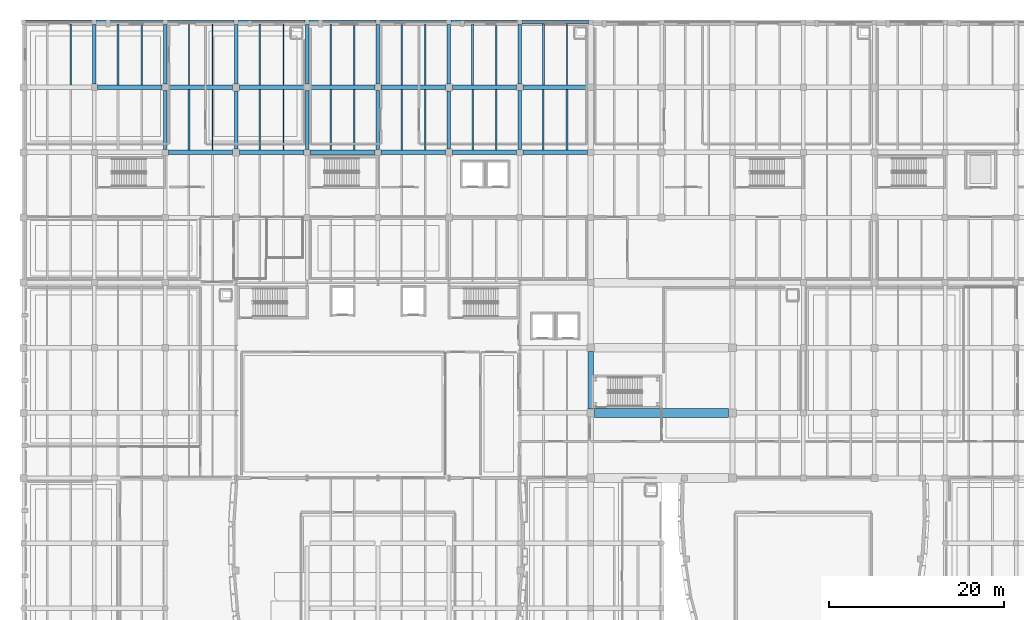
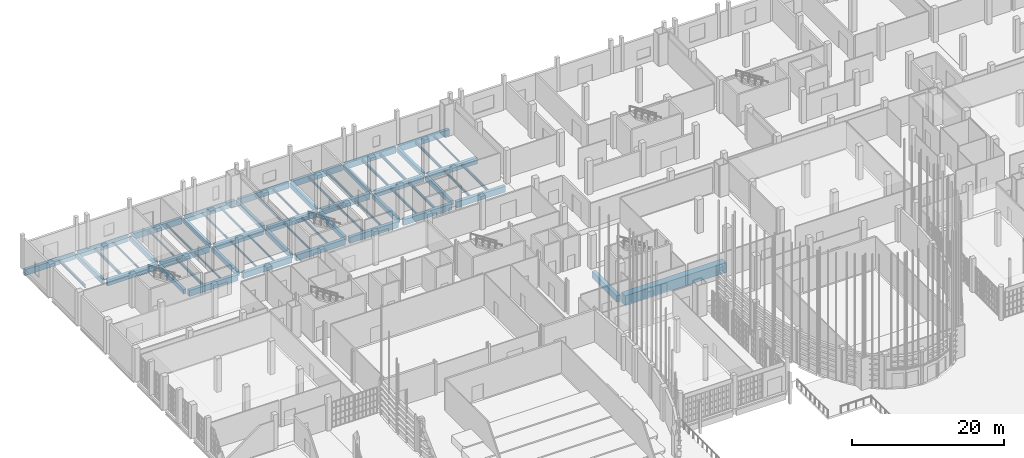
# One storey, part 248 of 372: 63 beams.
"""IFC4 building model written with IfcOpenShell, lengths in metres."""

import ifcopenshell
import ifcopenshell.guid

model = None  # the IFC model being written
_history = None  # IfcOwnerHistory: only IFC2X3 demands one
_inside = {}  # id of a spatial element -> (the spatial element, [elements in it])
_under = {}  # id of a project, library or spatial element -> (it, [spatial elements below it])
_declared = {}  # id of a project -> (the project, [libraries it declares])
_typed = {}  # id of a type object -> (the type object, [elements of that type])
_made_of = {}  # id of a material, layer set ... -> (it, [elements and type objects made of it])


def new_model(schema):
    """Start an empty IFC model of exactly this schema.

    Asked for "IFC4X3", IfcOpenShell would pick the latest addendum, in which some entities
    have other attributes; the version numbers below select the first issue.
    IFC2X3 requires an IfcOwnerHistory on every rooted entity: one is made here for all.
    """
    global model, _history
    if schema == "IFC4X3":
        model = ifcopenshell.file(schema_version=(4, 3, 0, 0))
    else:
        model = ifcopenshell.file(schema=schema)
    _inside.clear()
    _under.clear()
    _declared.clear()
    _typed.clear()
    _made_of.clear()
    _history = None
    if model.schema == "IFC2X3":
        org = make("IfcOrganization", Name="unknown")
        user = make(
            "IfcPersonAndOrganization",
            ThePerson=make("IfcPerson", FamilyName="unknown"),
            TheOrganization=org,
        )
        app = make(
            "IfcApplication",
            ApplicationDeveloper=org,
            Version="unknown",
            ApplicationFullName="unknown",
            ApplicationIdentifier="unknown",
        )
        _history = make(
            "IfcOwnerHistory",
            OwningUser=user,
            OwningApplication=app,
            ChangeAction="ADDED",
            CreationDate=0,
        )
    return model


def make(cls, **values):
    """One entity of the class cls with the attributes given. An attribute that is None is left unset."""
    return model.create_entity(
        cls, **{name: value for name, value in values.items() if value is not None}
    )


def rooted(cls, **values):
    """An entity with a GlobalId (a new one), such as an element, a storey or a relation."""
    return make(cls, GlobalId=ifcopenshell.guid.new(), OwnerHistory=_history, **values)


def si_unit(unit_type, name, prefix=None):
    """IfcSIUnit, for example si_unit("LENGTHUNIT", "METRE", prefix="MILLI")."""
    return make("IfcSIUnit", UnitType=unit_type, Prefix=prefix, Name=name)


def assignment(units):
    """IfcUnitAssignment: the units of a project."""
    return None if units is None else make("IfcUnitAssignment", Units=units)


def point(xyz):
    """IfcCartesianPoint."""
    return None if xyz is None else make("IfcCartesianPoint", Coordinates=xyz)


def direction(xyz):
    """IfcDirection."""
    return None if xyz is None else make("IfcDirection", DirectionRatios=xyz)


def frame(location, z_axis=None, x_axis=None):
    """IfcAxis2Placement3D, a coordinate frame: its origin and axes. An axis left out is left unset."""
    return make(
        "IfcAxis2Placement3D",
        Location=point(location),
        Axis=direction(z_axis),
        RefDirection=direction(x_axis),
    )


def frame_2d(location, x_axis=None):
    """IfcAxis2Placement2D, a coordinate frame in the plane: its origin and x axis."""
    return make(
        "IfcAxis2Placement2D", Location=point(location), RefDirection=direction(x_axis)
    )


def origin():
    """The frame at (0, 0, 0) with its axes left unset."""
    return frame((0.0, 0.0, 0.0))


def origin_2d():
    """The frame at (0, 0) in the plane with its x axis left unset."""
    return frame_2d((0.0, 0.0))


def place(relative_to, where):
    """IfcLocalPlacement: puts the frame where relative to a parent placement (None: the world)."""
    return make(
        "IfcLocalPlacement", PlacementRelTo=relative_to, RelativePlacement=where
    )


def context(
    kind, dimensions, precision=None, world=None, true_north=None, identifier=None
):
    """IfcGeometricRepresentationContext, for example the 3D "Model" context."""
    return make(
        "IfcGeometricRepresentationContext",
        ContextIdentifier=identifier,
        ContextType=kind,
        CoordinateSpaceDimension=dimensions,
        Precision=precision,
        WorldCoordinateSystem=world,
        TrueNorth=true_north,
    )


def subcontext(parent, identifier, kind, view, scale=None):
    """IfcGeometricRepresentationSubContext, for example "Body" below "Model"."""
    return make(
        "IfcGeometricRepresentationSubContext",
        ContextIdentifier=identifier,
        ContextType=kind,
        ParentContext=parent,
        TargetScale=scale,
        TargetView=view,
    )


def project(units=None, contexts=None):
    """IfcProject with its units and contexts."""
    return rooted(
        "IfcProject",
        Name="project",
        RepresentationContexts=contexts,
        UnitsInContext=assignment(units),
    )


def spatial(cls, under=None, at=None, **own):
    """A site, building, storey or space (cls), placed at a placement, below another one or the project."""
    s = rooted(cls, ObjectPlacement=at, **own)
    if under is not None:
        _under.setdefault(under.id(), (under, []))[1].append(s)
    return s


def profile(cls, at=None, kind="AREA", **sizes):
    """A parametric profile (cls). Its sizes go by their IFC names, for example OverallWidth=200.0."""
    return make(cls, ProfileType=kind, Position=at, **sizes)


def rectangle(**sizes):
    """IfcRectangleProfileDef."""
    return profile("IfcRectangleProfileDef", **sizes)


def i_section(**sizes):
    """IfcIShapeProfileDef."""
    return profile("IfcIShapeProfileDef", **sizes)


def extrude(swept, where, along, depth):
    """IfcExtrudedAreaSolid: the profile swept, set in the frame where, extruded along a direction by depth."""
    return make(
        "IfcExtrudedAreaSolid",
        SweptArea=swept,
        Position=where,
        ExtrudedDirection=direction(along),
        Depth=depth,
    )


def shape(context_of_items, identifier, shape_type, items):
    """IfcShapeRepresentation: the items that make up one representation, for example the "Body"."""
    return make(
        "IfcShapeRepresentation",
        ContextOfItems=context_of_items,
        RepresentationIdentifier=identifier,
        RepresentationType=shape_type,
        Items=items,
    )


def material(Name=None, Category=None):
    """IfcMaterial."""
    return make("IfcMaterial", Name=Name, Category=Category)


def material_profile(
    of_material, cross_section, Name=None, Category=None, Priority=None
):
    """IfcMaterialProfile: a cross section and its material."""
    return make(
        "IfcMaterialProfile",
        Name=Name,
        Material=of_material,
        Profile=cross_section,
        Priority=Priority,
        Category=Category,
    )


def profile_set(profiles, Name=None, composite=None):
    """IfcMaterialProfileSet."""
    return make(
        "IfcMaterialProfileSet",
        Name=Name,
        MaterialProfiles=profiles,
        CompositeProfile=composite,
    )


def made_of(thing, what):
    """Note that an element or type object is made of a material, layer set ...; save() writes the relation."""
    if what is not None:
        _made_of.setdefault(what.id(), (what, []))[1].append(thing)
    return thing


def type_object(cls, material=None, **own):
    """A type object (cls), such as IfcWallType, which elements share."""
    return made_of(rooted(cls, **own), material)


def element(
    cls,
    number,
    at=None,
    inside=None,
    cuts=None,
    type_object=None,
    material=None,
    context=None,
    identifier="Body",
    shape_type=None,
    held_by="IfcProductDefinitionShape",
    body=None,
    shapes=None,
    **own,
):
    """One element of the class cls, such as IfcWall. Its Tag is "e" and its number.

    at: its placement. inside: the storey or other place that contains it. cuts: it is an
    opening in that element (IfcRelVoidsElement). A single representation is given by context,
    identifier, shape_type and body (its items); several are given by shapes. held_by: the class
    of the entity that holds the representations. save() writes the other relations.
    """
    e = rooted(cls, Tag="e%d" % number, ObjectPlacement=at, **own)
    if body is not None:
        shapes = [shape(context, identifier, shape_type, body)]
    if shapes is not None:
        e.Representation = make(held_by, Representations=shapes)
    if inside is not None:
        _inside.setdefault(inside.id(), (inside, []))[1].append(e)
    if cuts is not None:
        rooted(
            "IfcRelVoidsElement", RelatingBuildingElement=cuts, RelatedOpeningElement=e
        )
    if type_object is not None:
        _typed.setdefault(type_object.id(), (type_object, []))[1].append(e)
    return made_of(e, material)


def aggregate(whole, parts):
    """IfcRelAggregates: a whole, such as a stair, and the parts it consists of."""
    return rooted("IfcRelAggregates", RelatingObject=whole, RelatedObjects=parts)


def save(model, path):
    """Write the relations noted so far, then the file.

    IfcRelAggregates (storeys below a building ...), IfcRelContainedInSpatialStructure (elements
    in a storey), IfcRelDefinesByType, IfcRelAssociatesMaterial and IfcRelDeclares: one each for
    every whole, place, type object, material and project.
    """
    for whole, parts in _under.values():
        aggregate(whole, parts)
    for where, things in _inside.values():
        rooted(
            "IfcRelContainedInSpatialStructure",
            RelatedElements=things,
            RelatingStructure=where,
        )
    for kind, things in _typed.values():
        rooted("IfcRelDefinesByType", RelatedObjects=things, RelatingType=kind)
    for what, things in _made_of.values():
        rooted("IfcRelAssociatesMaterial", RelatedObjects=things, RelatingMaterial=what)
    for by, libraries in _declared.values():
        rooted("IfcRelDeclares", RelatingContext=by, RelatedDefinitions=libraries)
    model.write(path)


model = new_model("IFC4")

# Units and contexts
model_context = context("Model", 3, precision=1e-05, world=origin(), true_north=direction((0.0, 1.0)))
body_context = subcontext(model_context, "Body", "Model", "MODEL_VIEW")
ifc_project = project(units=[si_unit("LENGTHUNIT", "METRE"), si_unit("AREAUNIT", "SQUARE_METRE"), si_unit("VOLUMEUNIT", "CUBIC_METRE"), si_unit("PLANEANGLEUNIT", "RADIAN"), si_unit("MASSUNIT", "GRAM", prefix="KILO")], contexts=[model_context])

# Site, building, storey
site_placement = place(None, origin())
site = spatial("IfcSite", under=ifc_project, at=site_placement, CompositionType="ELEMENT")
building_placement = place(site_placement, origin())
building = spatial("IfcBuilding", under=site, at=building_placement, Name="Kaelora Sail Theatre", CompositionType="ELEMENT")
storey_placement = place(building_placement, origin())
storey = spatial("IfcBuildingStorey", under=building, at=storey_placement, Name="L00", CompositionType="ELEMENT", Elevation=0.0)

# Beams
ifc_material_1 = material(Name="Steel S355", Category="steel")
ifc_material_profile_1 = material_profile(ifc_material_1, i_section(OverallWidth=0.18994140625, OverallDepth=0.449951171875, WebThickness=0.009521484375, FlangeThickness=0.0146484375, FilletRadius=0.02099609375, at=origin_2d()), Name="IPE 450")
ifc_profile_set_1 = profile_set([ifc_material_profile_1], Name="Steel S355")
beam_type_1 = type_object("IfcBeamType", Name="STR-BM-BM-IPE450", PredefinedType="BEAM", material=ifc_profile_set_1)
for number, where, z_axis, x_axis, name in (
    (1, (6.89990234375, 105.909912109375, -0.544921875), (0.0, 1.0, 0.0), (-1.0, 0.0, 0.0), "Secondary floor joist 1/O-2 (L00)"),
    (2, (12.300048828125, 105.909912109375, -0.544921875), (0.0, 1.0, 0.0), (-1.0, 0.0, 0.0), "Secondary floor joist 2/O-1 (L00)"),
):
    element("IfcBeam", number, at=place(storey_placement, frame(where, z_axis=z_axis, x_axis=x_axis)), inside=storey, type_object=beam_type_1, Name=name, PredefinedType="BEAM", context=body_context, shape_type="SweptSolid", body=[
        extrude(i_section(OverallWidth=0.18994140625, OverallDepth=0.449951171875, WebThickness=0.009521484375, FlangeThickness=0.0146484375, FilletRadius=0.02099609375, at=origin_2d()), origin(), (0.0, 0.0, 1.0), 6.965087890625),
    ])
beam_1_placement = place(storey_placement, frame((20.39990234375, 98.469970703125, -0.544921875), z_axis=(0.0, 1.0, 0.0), x_axis=(-1.0, 0.0, 0.0)))
element("IfcBeam", 3, at=beam_1_placement, inside=storey, type_object=beam_type_1, Name="Secondary floor joist 3/N-1 (L00)", PredefinedType="BEAM", context=body_context, shape_type="SweptSolid", body=[
    extrude(i_section(OverallWidth=0.18994140625, OverallDepth=0.449951171875, WebThickness=0.009521484375, FlangeThickness=0.0146484375, FilletRadius=0.02099609375, at=origin_2d()), origin(), (0.0, 0.0, 1.0), 6.93994140625),
])
beam_2_placement = place(storey_placement, frame((55.5, 105.909912109375, -0.544921875), z_axis=(0.0, 1.0, 0.0), x_axis=(-1.0, 0.0, 0.0)))
element("IfcBeam", 4, at=beam_2_placement, inside=storey, type_object=beam_type_1, Name="Secondary floor joist 7/O-2 (L00)", PredefinedType="BEAM", context=body_context, shape_type="SweptSolid", body=[
    extrude(i_section(OverallWidth=0.18994140625, OverallDepth=0.449951171875, WebThickness=0.009521484375, FlangeThickness=0.0146484375, FilletRadius=0.02099609375, at=origin_2d()), origin(), (0.0, 0.0, 1.0), 6.965087890625),
])
beam_3_placement = place(storey_placement, frame((63.60009765625, 98.469970703125, -0.544921875), z_axis=(0.0, 1.0, 0.0), x_axis=(-1.0, 0.0, 0.0)))
element("IfcBeam", 5, at=beam_3_placement, inside=storey, type_object=beam_type_1, Name="Secondary floor joist 8/N-2 (L00)", PredefinedType="BEAM", context=body_context, shape_type="SweptSolid", body=[
    extrude(i_section(OverallWidth=0.18994140625, OverallDepth=0.449951171875, WebThickness=0.009521484375, FlangeThickness=0.0146484375, FilletRadius=0.02099609375, at=origin_2d()), origin(), (0.0, 0.0, 1.0), 6.93994140625),
])
beam_4_placement = place(storey_placement, frame((60.89990234375, 105.909912109375, -0.544921875), z_axis=(0.0, 1.0, 0.0), x_axis=(-1.0, 0.0, 0.0)))
element("IfcBeam", 6, at=beam_4_placement, inside=storey, type_object=beam_type_1, Name="Secondary floor joist 8/O-1 (L00)", PredefinedType="BEAM", context=body_context, shape_type="SweptSolid", body=[
    extrude(i_section(OverallWidth=0.18994140625, OverallDepth=0.449951171875, WebThickness=0.009521484375, FlangeThickness=0.0146484375, FilletRadius=0.02099609375, at=origin_2d()), origin(), (0.0, 0.0, 1.0), 6.965087890625),
])
ifc_material_2 = material(Name="Concrete C40/50", Category="concrete")
ifc_material_profile_2 = material_profile(ifc_material_2, rectangle(XDim=0.39990234375, YDim=0.75, at=origin_2d()), Name="RC-BM 400x750")
ifc_profile_set_2 = profile_set([ifc_material_profile_2], Name="Concrete C40/50")
beam_type_2 = type_object("IfcBeamType", Name="STR-BM-BM-RC4075", PredefinedType="BEAM", material=ifc_profile_set_2)
beam_5_placement = place(storey_placement, frame((9.60009765625, 106.010009765625, -0.695068359375), z_axis=(0.0, 1.0, 0.0), x_axis=(-1.0, 0.0, 0.0)))
element("IfcBeam", 7, at=beam_5_placement, inside=storey, type_object=beam_type_2, Name="Primary beam 2 O-P (L00)", PredefinedType="BEAM", context=body_context, shape_type="SweptSolid", body=[
    extrude(rectangle(XDim=0.39990234375, YDim=0.75, at=origin_2d()), origin(), (0.0, 0.0, 1.0), 6.840087890625),
])
beam_6_placement = place(storey_placement, frame((17.699951171875, 98.570068359375, -0.695068359375), z_axis=(0.0, 1.0, 0.0), x_axis=(-1.0, 0.0, 0.0)))
element("IfcBeam", 8, at=beam_6_placement, inside=storey, type_object=beam_type_2, Name="Primary beam 3 N-O (L00)", PredefinedType="BEAM", context=body_context, shape_type="SweptSolid", body=[
    extrude(rectangle(XDim=0.39990234375, YDim=0.75, at=origin_2d()), origin(), (0.0, 0.0, 1.0), 6.739990234375),
])
beam_7_placement = place(storey_placement, frame((17.699951171875, 106.010009765625, -0.695068359375), z_axis=(0.0, 1.0, 0.0), x_axis=(-1.0, 0.0, 0.0)))
element("IfcBeam", 9, at=beam_7_placement, inside=storey, type_object=beam_type_2, Name="Primary beam 3 O-P (L00)", PredefinedType="BEAM", context=body_context, shape_type="SweptSolid", body=[
    extrude(rectangle(XDim=0.39990234375, YDim=0.75, at=origin_2d()), origin(), (0.0, 0.0, 1.0), 6.840087890625),
])
beam_8_placement = place(storey_placement, frame((25.800048828125, 98.6201171875, -0.695068359375), z_axis=(0.0, 1.0, 0.0), x_axis=(-1.0, 0.0, 0.0)))
element("IfcBeam", 10, at=beam_8_placement, inside=storey, type_object=beam_type_2, Name="Primary beam 4 N-O (L00)", PredefinedType="BEAM", context=body_context, shape_type="SweptSolid", body=[
    extrude(rectangle(XDim=0.39990234375, YDim=0.75, at=origin_2d()), origin(), (0.0, 0.0, 1.0), 6.639892578125),
])
beam_9_placement = place(storey_placement, frame((25.800048828125, 106.06005859375, -0.695068359375), z_axis=(0.0, 1.0, 0.0), x_axis=(-1.0, 0.0, 0.0)))
element("IfcBeam", 11, at=beam_9_placement, inside=storey, type_object=beam_type_2, Name="Primary beam 4 O-P (L00)", PredefinedType="BEAM", context=body_context, shape_type="SweptSolid", body=[
    extrude(rectangle(XDim=0.39990234375, YDim=0.75, at=origin_2d()), origin(), (0.0, 0.0, 1.0), 6.7900390625),
])
beam_10_placement = place(storey_placement, frame((33.89990234375, 98.570068359375, -0.695068359375), z_axis=(0.0, 1.0, 0.0), x_axis=(-1.0, 0.0, 0.0)))
element("IfcBeam", 12, at=beam_10_placement, inside=storey, type_object=beam_type_2, Name="Primary beam 5 N-O (L00)", PredefinedType="BEAM", context=body_context, shape_type="SweptSolid", body=[
    extrude(rectangle(XDim=0.39990234375, YDim=0.75, at=origin_2d()), origin(), (0.0, 0.0, 1.0), 6.739990234375),
])
beam_11_placement = place(storey_placement, frame((33.89990234375, 106.010009765625, -0.695068359375), z_axis=(0.0, 1.0, 0.0), x_axis=(-1.0, 0.0, 0.0)))
element("IfcBeam", 13, at=beam_11_placement, inside=storey, type_object=beam_type_2, Name="Primary beam 5 O-P (L00)", PredefinedType="BEAM", context=body_context, shape_type="SweptSolid", body=[
    extrude(rectangle(XDim=0.39990234375, YDim=0.75, at=origin_2d()), origin(), (0.0, 0.0, 1.0), 6.840087890625),
])
beam_12_placement = place(storey_placement, frame((42.0, 98.570068359375, -0.695068359375), z_axis=(0.0, 1.0, 0.0), x_axis=(-1.0, 0.0, 0.0)))
element("IfcBeam", 14, at=beam_12_placement, inside=storey, type_object=beam_type_2, Name="Primary beam 6 N-O (L00)", PredefinedType="BEAM", context=body_context, shape_type="SweptSolid", body=[
    extrude(rectangle(XDim=0.39990234375, YDim=0.75, at=origin_2d()), origin(), (0.0, 0.0, 1.0), 6.739990234375),
])
beam_13_placement = place(storey_placement, frame((42.0, 106.010009765625, -0.695068359375), z_axis=(0.0, 1.0, 0.0), x_axis=(-1.0, 0.0, 0.0)))
element("IfcBeam", 15, at=beam_13_placement, inside=storey, type_object=beam_type_2, Name="Primary beam 6 O-P (L00)", PredefinedType="BEAM", context=body_context, shape_type="SweptSolid", body=[
    extrude(rectangle(XDim=0.39990234375, YDim=0.75, at=origin_2d()), origin(), (0.0, 0.0, 1.0), 6.840087890625),
])
beam_14_placement = place(storey_placement, frame((50.10009765625, 98.6201171875, -0.695068359375), z_axis=(0.0, 1.0, 0.0), x_axis=(-1.0, 0.0, 0.0)))
element("IfcBeam", 16, at=beam_14_placement, inside=storey, type_object=beam_type_2, Name="Primary beam 7 N-O (L00)", PredefinedType="BEAM", context=body_context, shape_type="SweptSolid", body=[
    extrude(rectangle(XDim=0.39990234375, YDim=0.75, at=origin_2d()), origin(), (0.0, 0.0, 1.0), 6.639892578125),
])
beam_15_placement = place(storey_placement, frame((50.10009765625, 106.06005859375, -0.695068359375), z_axis=(0.0, 1.0, 0.0), x_axis=(-1.0, 0.0, 0.0)))
element("IfcBeam", 17, at=beam_15_placement, inside=storey, type_object=beam_type_2, Name="Primary beam 7 O-P (L00)", PredefinedType="BEAM", context=body_context, shape_type="SweptSolid", body=[
    extrude(rectangle(XDim=0.39990234375, YDim=0.75, at=origin_2d()), origin(), (0.0, 0.0, 1.0), 6.7900390625),
])
beam_16_placement = place(storey_placement, frame((58.199951171875, 98.570068359375, -0.695068359375), z_axis=(0.0, 1.0, 0.0), x_axis=(-1.0, 0.0, 0.0)))
element("IfcBeam", 18, at=beam_16_placement, inside=storey, type_object=beam_type_2, Name="Primary beam 8 N-O (L00)", PredefinedType="BEAM", context=body_context, shape_type="SweptSolid", body=[
    extrude(rectangle(XDim=0.39990234375, YDim=0.75, at=origin_2d()), origin(), (0.0, 0.0, 1.0), 6.739990234375),
])
beam_17_placement = place(storey_placement, frame((58.199951171875, 106.010009765625, -0.695068359375), z_axis=(0.0, 1.0, 0.0), x_axis=(-1.0, 0.0, 0.0)))
element("IfcBeam", 19, at=beam_17_placement, inside=storey, type_object=beam_type_2, Name="Primary beam 8 O-P (L00)", PredefinedType="BEAM", context=body_context, shape_type="SweptSolid", body=[
    extrude(rectangle(XDim=0.39990234375, YDim=0.75, at=origin_2d()), origin(), (0.0, 0.0, 1.0), 6.840087890625),
])
ifc_material_3 = material(Name="Concrete C45/55", Category="concrete")
ifc_material_profile_3 = material_profile(ifc_material_3, rectangle(XDim=0.5, YDim=0.949951171875, at=origin_2d()), Name="RC-GRD 500x950")
ifc_profile_set_3 = profile_set([ifc_material_profile_3], Name="Concrete C45/55")
beam_type_3 = type_object("IfcBeamType", Name="STR-BM-GR-RC5095", PredefinedType="T_BEAM", material=ifc_profile_set_3)
beam_18_placement = place(storey_placement, frame((9.949951171875, 105.659912109375, -0.794921875), z_axis=(1.0, 0.0, 0.0), x_axis=(0.0, 1.0, 0.0)))
element("IfcBeam", 20, at=beam_18_placement, inside=storey, type_object=beam_type_3, Name="Primary beam O 2-3 (L00)", PredefinedType="T_BEAM", context=body_context, shape_type="SweptSolid", body=[
    extrude(rectangle(XDim=0.5, YDim=0.949951171875, at=origin_2d()), origin(), (0.0, 0.0, 1.0), 7.400146484375),
])
for number, where, z_axis, x_axis, name in (
    (21, (18.050048828125, 98.219970703125, -0.794921875), (1.0, 0.0, 0.0), (0.0, 1.0, 0.0), "Primary beam N 3-4 (L00)"),
    (22, (18.050048828125, 105.659912109375, -0.794921875), (1.0, 0.0, 0.0), (0.0, 1.0, 0.0), "Primary beam O 3-4 (L00)"),
):
    element("IfcBeam", number, at=place(storey_placement, frame(where, z_axis=z_axis, x_axis=x_axis)), inside=storey, type_object=beam_type_3, Name=name, PredefinedType="T_BEAM", context=body_context, shape_type="SweptSolid", body=[
        extrude(rectangle(XDim=0.5, YDim=0.949951171875, at=origin_2d()), origin(), (0.0, 0.0, 1.0), 7.349853515625),
    ])
for number, where, z_axis, x_axis, name in (
    (23, (26.199951171875, 98.219970703125, -0.794921875), (1.0, 0.0, 0.0), (0.0, 1.0, 0.0), "Primary beam N 4-5 (L00)"),
    (24, (26.199951171875, 105.659912109375, -0.794921875), (1.0, 0.0, 0.0), (0.0, 1.0, 0.0), "Primary beam O 4-5 (L00)"),
):
    element("IfcBeam", number, at=place(storey_placement, frame(where, z_axis=z_axis, x_axis=x_axis)), inside=storey, type_object=beam_type_3, Name=name, PredefinedType="T_BEAM", context=body_context, shape_type="SweptSolid", body=[
        extrude(rectangle(XDim=0.5, YDim=0.949951171875, at=origin_2d()), origin(), (0.0, 0.0, 1.0), 7.35009765625),
    ])
for number, where, z_axis, x_axis, name in (
    (25, (34.25, 98.219970703125, -0.794921875), (1.0, 0.0, 0.0), (0.0, 1.0, 0.0), "Primary beam N 5-6 (L00)"),
    (26, (34.25, 105.659912109375, -0.794921875), (1.0, 0.0, 0.0), (0.0, 1.0, 0.0), "Primary beam O 5-6 (L00)"),
):
    element("IfcBeam", number, at=place(storey_placement, frame(where, z_axis=z_axis, x_axis=x_axis)), inside=storey, type_object=beam_type_3, Name=name, PredefinedType="T_BEAM", context=body_context, shape_type="SweptSolid", body=[
        extrude(rectangle(XDim=0.5, YDim=0.949951171875, at=origin_2d()), origin(), (0.0, 0.0, 1.0), 7.39990234375),
    ])
for number, where, z_axis, x_axis, name in (
    (27, (42.35009765625, 98.219970703125, -0.794921875), (1.0, 0.0, 0.0), (0.0, 1.0, 0.0), "Primary beam N 6-7 (L00)"),
    (28, (42.35009765625, 105.659912109375, -0.794921875), (1.0, 0.0, 0.0), (0.0, 1.0, 0.0), "Primary beam O 6-7 (L00)"),
):
    element("IfcBeam", number, at=place(storey_placement, frame(where, z_axis=z_axis, x_axis=x_axis)), inside=storey, type_object=beam_type_3, Name=name, PredefinedType="T_BEAM", context=body_context, shape_type="SweptSolid", body=[
        extrude(rectangle(XDim=0.5, YDim=0.949951171875, at=origin_2d()), origin(), (0.0, 0.0, 1.0), 7.349853515625),
    ])
for number, where, z_axis, x_axis, name in (
    (29, (50.5, 98.219970703125, -0.794921875), (1.0, 0.0, 0.0), (0.0, 1.0, 0.0), "Primary beam N 7-8 (L00)"),
    (30, (50.5, 105.659912109375, -0.794921875), (1.0, 0.0, 0.0), (0.0, 1.0, 0.0), "Primary beam O 7-8 (L00)"),
):
    element("IfcBeam", number, at=place(storey_placement, frame(where, z_axis=z_axis, x_axis=x_axis)), inside=storey, type_object=beam_type_3, Name=name, PredefinedType="T_BEAM", context=body_context, shape_type="SweptSolid", body=[
        extrude(rectangle(XDim=0.5, YDim=0.949951171875, at=origin_2d()), origin(), (0.0, 0.0, 1.0), 7.35009765625),
    ])
for number, where, z_axis, x_axis, name in (
    (31, (58.550048828125, 98.219970703125, -0.794921875), (1.0, 0.0, 0.0), (0.0, 1.0, 0.0), "Primary beam N 8-9 (L00)"),
    (32, (58.550048828125, 105.659912109375, -0.794921875), (1.0, 0.0, 0.0), (0.0, 1.0, 0.0), "Primary beam O 8-9 (L00)"),
):
    element("IfcBeam", number, at=place(storey_placement, frame(where, z_axis=z_axis, x_axis=x_axis)), inside=storey, type_object=beam_type_3, Name=name, PredefinedType="T_BEAM", context=body_context, shape_type="SweptSolid", body=[
        extrude(rectangle(XDim=0.5, YDim=0.949951171875, at=origin_2d()), origin(), (0.0, 0.0, 1.0), 7.39990234375),
    ])
ifc_material_4 = material(Name="Concrete C50/60", Category="concrete")
ifc_material_profile_4 = material_profile(ifc_material_4, rectangle(XDim=0.60009765625, YDim=1.050048828125, at=origin_2d()), Name="RC-GRD 600x1050")
ifc_profile_set_4 = profile_set([ifc_material_profile_4], Name="Concrete C50/60")
beam_type_4 = type_object("IfcBeamType", Name="STR-BM-GR-RC6105", PredefinedType="T_BEAM", material=ifc_profile_set_4)
beam_19_placement = place(storey_placement, frame((66.300048828125, 68.909912109375, -0.844970703125), z_axis=(0.0, 1.0, 0.0), x_axis=(-1.0, 0.0, 0.0)))
element("IfcBeam", 33, at=beam_19_placement, inside=storey, type_object=beam_type_4, Name="Primary beam 9 J-K (L00)", PredefinedType="T_BEAM", context=body_context, shape_type="SweptSolid", body=[
    extrude(rectangle(XDim=0.60009765625, YDim=1.050048828125, at=origin_2d()), origin(), (0.0, 0.0, 1.0), 6.5400390625),
])
ifc_material_5 = material(Name="Steel S355", Category="steel")
ifc_material_profile_5 = material_profile(ifc_material_5, i_section(OverallWidth=0.135009765625, OverallDepth=0.27001953125, WebThickness=0.006591796875, FlangeThickness=0.01025390625, FilletRadius=0.014892578125, at=origin_2d()), Name="IPE 270")
ifc_profile_set_5 = profile_set([ifc_material_profile_5], Name="Steel S355")
beam_type_5 = type_object("IfcBeamType", Name="STR-BM-JS-IPE270", PredefinedType="JOIST", material=ifc_profile_set_5)
beam_20_placement = place(storey_placement, frame((15.0, 105.909912109375, -0.455078125), z_axis=(0.0, 1.0, 0.0), x_axis=(-1.0, 0.0, 0.0)))
element("IfcBeam", 34, at=beam_20_placement, inside=storey, type_object=beam_type_5, Name="Secondary floor joist 2/O-2 (L00)", PredefinedType="JOIST", context=body_context, shape_type="SweptSolid", body=[
    extrude(i_section(OverallWidth=0.135009765625, OverallDepth=0.27001953125, WebThickness=0.006591796875, FlangeThickness=0.01025390625, FilletRadius=0.014892578125, at=origin_2d()), origin(), (0.0, 0.0, 1.0), 6.965087890625),
])
beam_21_placement = place(storey_placement, frame((23.10009765625, 98.469970703125, -0.455078125), z_axis=(0.0, 1.0, 0.0), x_axis=(-1.0, 0.0, 0.0)))
element("IfcBeam", 35, at=beam_21_placement, inside=storey, type_object=beam_type_5, Name="Secondary floor joist 3/N-2 (L00)", PredefinedType="JOIST", context=body_context, shape_type="SweptSolid", body=[
    extrude(i_section(OverallWidth=0.135009765625, OverallDepth=0.27001953125, WebThickness=0.006591796875, FlangeThickness=0.01025390625, FilletRadius=0.014892578125, at=origin_2d()), origin(), (0.0, 0.0, 1.0), 6.93994140625),
])
beam_22_placement = place(storey_placement, frame((20.39990234375, 105.909912109375, -0.455078125), z_axis=(0.0, 1.0, 0.0), x_axis=(-1.0, 0.0, 0.0)))
element("IfcBeam", 36, at=beam_22_placement, inside=storey, type_object=beam_type_5, Name="Secondary floor joist 3/O-1 (L00)", PredefinedType="JOIST", context=body_context, shape_type="SweptSolid", body=[
    extrude(i_section(OverallWidth=0.135009765625, OverallDepth=0.27001953125, WebThickness=0.006591796875, FlangeThickness=0.01025390625, FilletRadius=0.014892578125, at=origin_2d()), origin(), (0.0, 0.0, 1.0), 6.965087890625),
])
beam_23_placement = place(storey_placement, frame((28.5, 98.469970703125, -0.455078125), z_axis=(0.0, 1.0, 0.0), x_axis=(-1.0, 0.0, 0.0)))
element("IfcBeam", 37, at=beam_23_placement, inside=storey, type_object=beam_type_5, Name="Secondary floor joist 4/N-1 (L00)", PredefinedType="JOIST", context=body_context, shape_type="SweptSolid", body=[
    extrude(i_section(OverallWidth=0.135009765625, OverallDepth=0.27001953125, WebThickness=0.006591796875, FlangeThickness=0.01025390625, FilletRadius=0.014892578125, at=origin_2d()), origin(), (0.0, 0.0, 1.0), 6.93994140625),
])
beam_24_placement = place(storey_placement, frame((63.60009765625, 105.909912109375, -0.455078125), z_axis=(0.0, 1.0, 0.0), x_axis=(-1.0, 0.0, 0.0)))
element("IfcBeam", 38, at=beam_24_placement, inside=storey, type_object=beam_type_5, Name="Secondary floor joist 8/O-2 (L00)", PredefinedType="JOIST", context=body_context, shape_type="SweptSolid", body=[
    extrude(i_section(OverallWidth=0.135009765625, OverallDepth=0.27001953125, WebThickness=0.006591796875, FlangeThickness=0.01025390625, FilletRadius=0.014892578125, at=origin_2d()), origin(), (0.0, 0.0, 1.0), 6.965087890625),
])
ifc_material_6 = material(Name="Steel S355", Category="steel")
ifc_material_profile_6 = material_profile(ifc_material_6, i_section(OverallWidth=0.14990234375, OverallDepth=0.300048828125, WebThickness=0.007080078125, FlangeThickness=0.0107421875, FilletRadius=0.014892578125, at=origin_2d()), Name="IPE 300")
ifc_profile_set_6 = profile_set([ifc_material_profile_6], Name="Steel S355")
beam_type_6 = type_object("IfcBeamType", Name="STR-BM-JS-IPE300", PredefinedType="JOIST", material=ifc_profile_set_6)
beam_25_placement = place(storey_placement, frame((23.10009765625, 105.909912109375, -0.469970703125), z_axis=(0.0, 1.0, 0.0), x_axis=(-1.0, 0.0, 0.0)))
element("IfcBeam", 39, at=beam_25_placement, inside=storey, type_object=beam_type_6, Name="Secondary floor joist 3/O-2 (L00)", PredefinedType="JOIST", context=body_context, shape_type="SweptSolid", body=[
    extrude(i_section(OverallWidth=0.14990234375, OverallDepth=0.300048828125, WebThickness=0.007080078125, FlangeThickness=0.0107421875, FilletRadius=0.014892578125, at=origin_2d()), origin(), (0.0, 0.0, 1.0), 6.965087890625),
])
beam_26_placement = place(storey_placement, frame((31.199951171875, 98.469970703125, -0.469970703125), z_axis=(0.0, 1.0, 0.0), x_axis=(-1.0, 0.0, 0.0)))
element("IfcBeam", 40, at=beam_26_placement, inside=storey, type_object=beam_type_6, Name="Secondary floor joist 4/N-2 (L00)", PredefinedType="JOIST", context=body_context, shape_type="SweptSolid", body=[
    extrude(i_section(OverallWidth=0.14990234375, OverallDepth=0.300048828125, WebThickness=0.007080078125, FlangeThickness=0.0107421875, FilletRadius=0.014892578125, at=origin_2d()), origin(), (0.0, 0.0, 1.0), 6.93994140625),
])
beam_27_placement = place(storey_placement, frame((28.5, 105.909912109375, -0.469970703125), z_axis=(0.0, 1.0, 0.0), x_axis=(-1.0, 0.0, 0.0)))
element("IfcBeam", 41, at=beam_27_placement, inside=storey, type_object=beam_type_6, Name="Secondary floor joist 4/O-1 (L00)", PredefinedType="JOIST", context=body_context, shape_type="SweptSolid", body=[
    extrude(i_section(OverallWidth=0.14990234375, OverallDepth=0.300048828125, WebThickness=0.007080078125, FlangeThickness=0.0107421875, FilletRadius=0.014892578125, at=origin_2d()), origin(), (0.0, 0.0, 1.0), 6.965087890625),
])
beam_28_placement = place(storey_placement, frame((36.60009765625, 98.469970703125, -0.469970703125), z_axis=(0.0, 1.0, 0.0), x_axis=(-1.0, 0.0, 0.0)))
element("IfcBeam", 42, at=beam_28_placement, inside=storey, type_object=beam_type_6, Name="Secondary floor joist 5/N-1 (L00)", PredefinedType="JOIST", context=body_context, shape_type="SweptSolid", body=[
    extrude(i_section(OverallWidth=0.14990234375, OverallDepth=0.300048828125, WebThickness=0.007080078125, FlangeThickness=0.0107421875, FilletRadius=0.014892578125, at=origin_2d()), origin(), (0.0, 0.0, 1.0), 6.93994140625),
])
ifc_material_7 = material(Name="Steel S355", Category="steel")
ifc_material_profile_7 = material_profile(ifc_material_7, i_section(OverallWidth=0.159912109375, OverallDepth=0.330078125, WebThickness=0.007568359375, FlangeThickness=0.011474609375, FilletRadius=0.01806640625, at=origin_2d()), Name="IPE 330")
ifc_profile_set_7 = profile_set([ifc_material_profile_7], Name="Steel S355")
beam_type_7 = type_object("IfcBeamType", Name="STR-BM-JS-IPE330", PredefinedType="JOIST", material=ifc_profile_set_7)
beam_29_placement = place(storey_placement, frame((31.199951171875, 105.909912109375, -0.485107421875), z_axis=(0.0, 1.0, 0.0), x_axis=(-1.0, 0.0, 0.0)))
element("IfcBeam", 43, at=beam_29_placement, inside=storey, type_object=beam_type_7, Name="Secondary floor joist 4/O-2 (L00)", PredefinedType="JOIST", context=body_context, shape_type="SweptSolid", body=[
    extrude(i_section(OverallWidth=0.159912109375, OverallDepth=0.330078125, WebThickness=0.007568359375, FlangeThickness=0.011474609375, FilletRadius=0.01806640625, at=origin_2d()), origin(), (0.0, 0.0, 1.0), 6.965087890625),
])
beam_30_placement = place(storey_placement, frame((39.300048828125, 98.469970703125, -0.485107421875), z_axis=(0.0, 1.0, 0.0), x_axis=(-1.0, 0.0, 0.0)))
element("IfcBeam", 44, at=beam_30_placement, inside=storey, type_object=beam_type_7, Name="Secondary floor joist 5/N-2 (L00)", PredefinedType="JOIST", context=body_context, shape_type="SweptSolid", body=[
    extrude(i_section(OverallWidth=0.159912109375, OverallDepth=0.330078125, WebThickness=0.007568359375, FlangeThickness=0.011474609375, FilletRadius=0.01806640625, at=origin_2d()), origin(), (0.0, 0.0, 1.0), 6.93994140625),
])
beam_31_placement = place(storey_placement, frame((36.60009765625, 105.909912109375, -0.485107421875), z_axis=(0.0, 1.0, 0.0), x_axis=(-1.0, 0.0, 0.0)))
element("IfcBeam", 45, at=beam_31_placement, inside=storey, type_object=beam_type_7, Name="Secondary floor joist 5/O-1 (L00)", PredefinedType="JOIST", context=body_context, shape_type="SweptSolid", body=[
    extrude(i_section(OverallWidth=0.159912109375, OverallDepth=0.330078125, WebThickness=0.007568359375, FlangeThickness=0.011474609375, FilletRadius=0.01806640625, at=origin_2d()), origin(), (0.0, 0.0, 1.0), 6.965087890625),
])
beam_32_placement = place(storey_placement, frame((44.699951171875, 98.469970703125, -0.485107421875), z_axis=(0.0, 1.0, 0.0), x_axis=(-1.0, 0.0, 0.0)))
element("IfcBeam", 46, at=beam_32_placement, inside=storey, type_object=beam_type_7, Name="Secondary floor joist 6/N-1 (L00)", PredefinedType="JOIST", context=body_context, shape_type="SweptSolid", body=[
    extrude(i_section(OverallWidth=0.159912109375, OverallDepth=0.330078125, WebThickness=0.007568359375, FlangeThickness=0.011474609375, FilletRadius=0.01806640625, at=origin_2d()), origin(), (0.0, 0.0, 1.0), 6.93994140625),
])
ifc_material_8 = material(Name="Steel S355", Category="steel")
ifc_material_profile_8 = material_profile(ifc_material_8, i_section(OverallWidth=0.169921875, OverallDepth=0.360107421875, WebThickness=0.008056640625, FlangeThickness=0.0126953125, FilletRadius=0.01806640625, at=origin_2d()), Name="IPE 360")
ifc_profile_set_8 = profile_set([ifc_material_profile_8], Name="Steel S355")
beam_type_8 = type_object("IfcBeamType", Name="STR-BM-JS-IPE360", PredefinedType="JOIST", material=ifc_profile_set_8)
beam_33_placement = place(storey_placement, frame((39.300048828125, 105.909912109375, -0.5), z_axis=(0.0, 1.0, 0.0), x_axis=(-1.0, 0.0, 0.0)))
element("IfcBeam", 47, at=beam_33_placement, inside=storey, type_object=beam_type_8, Name="Secondary floor joist 5/O-2 (L00)", PredefinedType="JOIST", context=body_context, shape_type="SweptSolid", body=[
    extrude(i_section(OverallWidth=0.169921875, OverallDepth=0.360107421875, WebThickness=0.008056640625, FlangeThickness=0.0126953125, FilletRadius=0.01806640625, at=origin_2d()), origin(), (0.0, 0.0, 1.0), 6.965087890625),
])
beam_34_placement = place(storey_placement, frame((47.39990234375, 98.469970703125, -0.5), z_axis=(0.0, 1.0, 0.0), x_axis=(-1.0, 0.0, 0.0)))
element("IfcBeam", 48, at=beam_34_placement, inside=storey, type_object=beam_type_8, Name="Secondary floor joist 6/N-2 (L00)", PredefinedType="JOIST", context=body_context, shape_type="SweptSolid", body=[
    extrude(i_section(OverallWidth=0.169921875, OverallDepth=0.360107421875, WebThickness=0.008056640625, FlangeThickness=0.0126953125, FilletRadius=0.01806640625, at=origin_2d()), origin(), (0.0, 0.0, 1.0), 6.93994140625),
])
beam_35_placement = place(storey_placement, frame((44.699951171875, 105.909912109375, -0.5), z_axis=(0.0, 1.0, 0.0), x_axis=(-1.0, 0.0, 0.0)))
element("IfcBeam", 49, at=beam_35_placement, inside=storey, type_object=beam_type_8, Name="Secondary floor joist 6/O-1 (L00)", PredefinedType="JOIST", context=body_context, shape_type="SweptSolid", body=[
    extrude(i_section(OverallWidth=0.169921875, OverallDepth=0.360107421875, WebThickness=0.008056640625, FlangeThickness=0.0126953125, FilletRadius=0.01806640625, at=origin_2d()), origin(), (0.0, 0.0, 1.0), 6.965087890625),
])
beam_36_placement = place(storey_placement, frame((52.800048828125, 98.469970703125, -0.5), z_axis=(0.0, 1.0, 0.0), x_axis=(-1.0, 0.0, 0.0)))
element("IfcBeam", 50, at=beam_36_placement, inside=storey, type_object=beam_type_8, Name="Secondary floor joist 7/N-1 (L00)", PredefinedType="JOIST", context=body_context, shape_type="SweptSolid", body=[
    extrude(i_section(OverallWidth=0.169921875, OverallDepth=0.360107421875, WebThickness=0.008056640625, FlangeThickness=0.0126953125, FilletRadius=0.01806640625, at=origin_2d()), origin(), (0.0, 0.0, 1.0), 6.93994140625),
])
ifc_material_9 = material(Name="Steel S355", Category="steel")
ifc_material_profile_9 = material_profile(ifc_material_9, i_section(OverallWidth=0.179931640625, OverallDepth=0.39990234375, WebThickness=0.008544921875, FlangeThickness=0.013427734375, FilletRadius=0.02099609375, at=origin_2d()), Name="IPE 400")
ifc_profile_set_9 = profile_set([ifc_material_profile_9], Name="Steel S355")
beam_type_9 = type_object("IfcBeamType", Name="STR-BM-JS-IPE400", PredefinedType="JOIST", material=ifc_profile_set_9)
beam_37_placement = place(storey_placement, frame((47.39990234375, 105.909912109375, -0.52001953125), z_axis=(0.0, 1.0, 0.0), x_axis=(-1.0, 0.0, 0.0)))
element("IfcBeam", 51, at=beam_37_placement, inside=storey, type_object=beam_type_9, Name="Secondary floor joist 6/O-2 (L00)", PredefinedType="JOIST", context=body_context, shape_type="SweptSolid", body=[
    extrude(i_section(OverallWidth=0.179931640625, OverallDepth=0.39990234375, WebThickness=0.008544921875, FlangeThickness=0.013427734375, FilletRadius=0.02099609375, at=origin_2d()), origin(), (0.0, 0.0, 1.0), 6.965087890625),
])
beam_38_placement = place(storey_placement, frame((55.5, 98.469970703125, -0.52001953125), z_axis=(0.0, 1.0, 0.0), x_axis=(-1.0, 0.0, 0.0)))
element("IfcBeam", 52, at=beam_38_placement, inside=storey, type_object=beam_type_9, Name="Secondary floor joist 7/N-2 (L00)", PredefinedType="JOIST", context=body_context, shape_type="SweptSolid", body=[
    extrude(i_section(OverallWidth=0.179931640625, OverallDepth=0.39990234375, WebThickness=0.008544921875, FlangeThickness=0.013427734375, FilletRadius=0.02099609375, at=origin_2d()), origin(), (0.0, 0.0, 1.0), 6.93994140625),
])
beam_39_placement = place(storey_placement, frame((52.800048828125, 105.909912109375, -0.52001953125), z_axis=(0.0, 1.0, 0.0), x_axis=(-1.0, 0.0, 0.0)))
element("IfcBeam", 53, at=beam_39_placement, inside=storey, type_object=beam_type_9, Name="Secondary floor joist 7/O-1 (L00)", PredefinedType="JOIST", context=body_context, shape_type="SweptSolid", body=[
    extrude(i_section(OverallWidth=0.179931640625, OverallDepth=0.39990234375, WebThickness=0.008544921875, FlangeThickness=0.013427734375, FilletRadius=0.02099609375, at=origin_2d()), origin(), (0.0, 0.0, 1.0), 6.965087890625),
])
beam_40_placement = place(storey_placement, frame((60.89990234375, 98.469970703125, -0.52001953125), z_axis=(0.0, 1.0, 0.0), x_axis=(-1.0, 0.0, 0.0)))
element("IfcBeam", 54, at=beam_40_placement, inside=storey, type_object=beam_type_9, Name="Secondary floor joist 8/N-1 (L00)", PredefinedType="JOIST", context=body_context, shape_type="SweptSolid", body=[
    extrude(i_section(OverallWidth=0.179931640625, OverallDepth=0.39990234375, WebThickness=0.008544921875, FlangeThickness=0.013427734375, FilletRadius=0.02099609375, at=origin_2d()), origin(), (0.0, 0.0, 1.0), 6.93994140625),
])
ifc_material_10 = material(Name="Concrete C50/60", Category="concrete")
ifc_material_profile_10 = material_profile(ifc_material_10, rectangle(XDim=1.0, YDim=1.60009765625, at=origin_2d()), Name="RC-TG 1000x1600")
ifc_profile_set_10 = profile_set([ifc_material_profile_10], Name="Concrete C50/60")
beam_type_10 = type_object("IfcBeamType", Name="STR-BM-MG-1016", PredefinedType="T_BEAM", material=ifc_profile_set_10)
beam_41_placement = place(storey_placement, frame((66.75, 68.4599609375, -0.800048828125), z_axis=(1.0, 0.0, 0.0), x_axis=(0.0, 1.0, 0.0)))
element("IfcBeam", 55, at=beam_41_placement, inside=storey, type_object=beam_type_10, Name="Metro concourse transfer girder MG-J", PredefinedType="T_BEAM", context=body_context, shape_type="SweptSolid", body=[
    extrude(rectangle(XDim=1.0, YDim=1.60009765625, at=origin_2d()), origin(), (0.0, 0.0, 1.0), 15.300048828125),
])
ifc_material_11 = material(Name="Concrete C45/55", Category="concrete")
ifc_material_profile_11 = material_profile(ifc_material_11, rectangle(XDim=0.449951171875, YDim=0.949951171875, at=origin_2d()), Name="RC-SPN 450x950")
ifc_profile_set_11 = profile_set([ifc_material_profile_11], Name="Concrete C45/55")
beam_type_11 = type_object("IfcBeamType", Name="STR-BM-SP-RC4595", PredefinedType="SPANDREL", material=ifc_profile_set_11)
beam_42_placement = place(storey_placement, frame((1.75, 113.10009765625, -0.794921875), z_axis=(1.0, 0.0, 0.0), x_axis=(0.0, 1.0, 0.0)))
element("IfcBeam", 56, at=beam_42_placement, inside=storey, type_object=beam_type_11, Name="Primary beam P 1-2 (L00)", PredefinedType="SPANDREL", context=body_context, shape_type="SweptSolid", body=[
    extrude(rectangle(XDim=0.449951171875, YDim=0.949951171875, at=origin_2d()), origin(), (0.0, 0.0, 1.0), 7.60009765625),
])
beam_43_placement = place(storey_placement, frame((9.85009765625, 113.10009765625, -0.794921875), z_axis=(1.0, 0.0, 0.0), x_axis=(0.0, 1.0, 0.0)))
element("IfcBeam", 57, at=beam_43_placement, inside=storey, type_object=beam_type_11, Name="Primary beam P 2-3 (L00)", PredefinedType="SPANDREL", context=body_context, shape_type="SweptSolid", body=[
    extrude(rectangle(XDim=0.449951171875, YDim=0.949951171875, at=origin_2d()), origin(), (0.0, 0.0, 1.0), 7.599853515625),
])
beam_44_placement = place(storey_placement, frame((17.949951171875, 113.10009765625, -0.794921875), z_axis=(1.0, 0.0, 0.0), x_axis=(0.0, 1.0, 0.0)))
element("IfcBeam", 58, at=beam_44_placement, inside=storey, type_object=beam_type_11, Name="Primary beam P 3-4 (L00)", PredefinedType="SPANDREL", context=body_context, shape_type="SweptSolid", body=[
    extrude(rectangle(XDim=0.449951171875, YDim=0.949951171875, at=origin_2d()), origin(), (0.0, 0.0, 1.0), 7.60009765625),
])
beam_45_placement = place(storey_placement, frame((26.050048828125, 113.10009765625, -0.794921875), z_axis=(1.0, 0.0, 0.0), x_axis=(0.0, 1.0, 0.0)))
element("IfcBeam", 59, at=beam_45_placement, inside=storey, type_object=beam_type_11, Name="Primary beam P 4-5 (L00)", PredefinedType="SPANDREL", context=body_context, shape_type="SweptSolid", body=[
    extrude(rectangle(XDim=0.449951171875, YDim=0.949951171875, at=origin_2d()), origin(), (0.0, 0.0, 1.0), 7.599853515625),
])
for number, where, z_axis, x_axis, name in (
    (60, (34.14990234375, 113.10009765625, -0.794921875), (1.0, 0.0, 0.0), (0.0, 1.0, 0.0), "Primary beam P 5-6 (L00)"),
    (61, (42.25, 113.10009765625, -0.794921875), (1.0, 0.0, 0.0), (0.0, 1.0, 0.0), "Primary beam P 6-7 (L00)"),
):
    element("IfcBeam", number, at=place(storey_placement, frame(where, z_axis=z_axis, x_axis=x_axis)), inside=storey, type_object=beam_type_11, Name=name, PredefinedType="SPANDREL", context=body_context, shape_type="SweptSolid", body=[
        extrude(rectangle(XDim=0.449951171875, YDim=0.949951171875, at=origin_2d()), origin(), (0.0, 0.0, 1.0), 7.60009765625),
    ])
beam_46_placement = place(storey_placement, frame((50.35009765625, 113.10009765625, -0.794921875), z_axis=(1.0, 0.0, 0.0), x_axis=(0.0, 1.0, 0.0)))
element("IfcBeam", 62, at=beam_46_placement, inside=storey, type_object=beam_type_11, Name="Primary beam P 7-8 (L00)", PredefinedType="SPANDREL", context=body_context, shape_type="SweptSolid", body=[
    extrude(rectangle(XDim=0.449951171875, YDim=0.949951171875, at=origin_2d()), origin(), (0.0, 0.0, 1.0), 7.599853515625),
])
beam_47_placement = place(storey_placement, frame((58.449951171875, 113.10009765625, -0.794921875), z_axis=(1.0, 0.0, 0.0), x_axis=(0.0, 1.0, 0.0)))
element("IfcBeam", 63, at=beam_47_placement, inside=storey, type_object=beam_type_11, Name="Primary beam P 8-9 (L00)", PredefinedType="SPANDREL", context=body_context, shape_type="SweptSolid", body=[
    extrude(rectangle(XDim=0.449951171875, YDim=0.949951171875, at=origin_2d()), origin(), (0.0, 0.0, 1.0), 7.60009765625),
])

save(model, "model.ifc")
